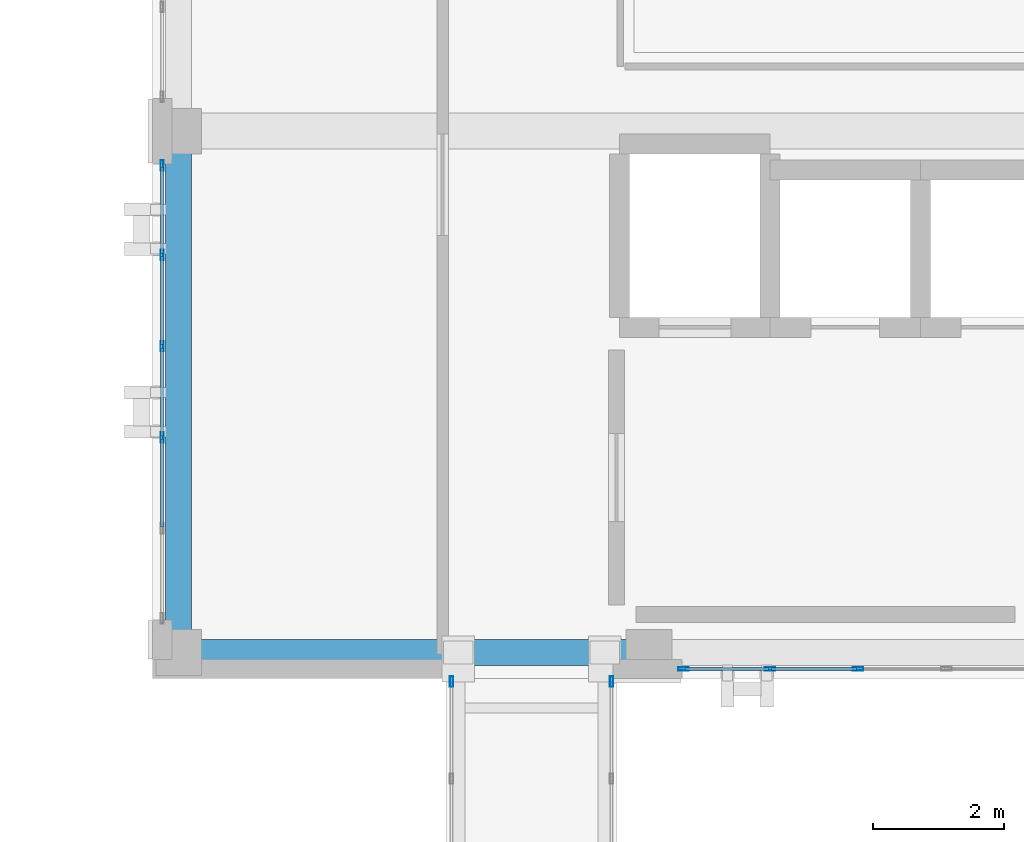
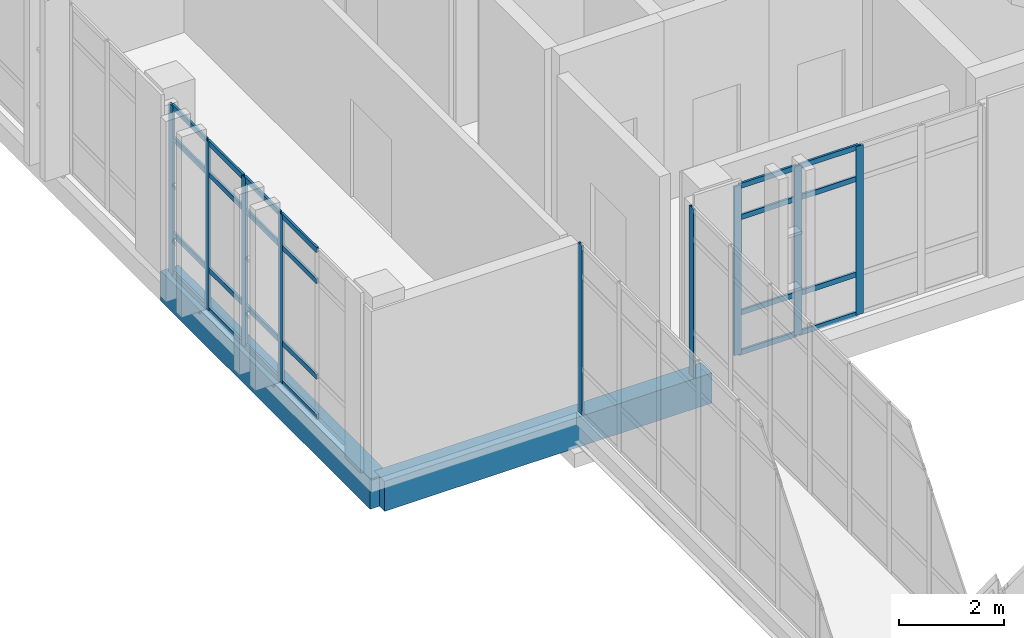
# One storey, part 56 of 165: 33 members, 2 beams, 4 elements without a shape of their own.
"""IFC4 building model written with IfcOpenShell, lengths in metres."""

from ifc_helpers import new_model, si_unit, direction, frame, origin, origin_2d, place, context, subcontext, project, spatial, rectangle, hollow_rectangle, extrude, material, layer, layer_set, material_profile, profile_set, type_object, element, aggregate, save


model = new_model("IFC4")

# Units and contexts
model_context = context("Model", 3, precision=1e-05, world=origin(), true_north=direction((0.0, 1.0)))
body_context = subcontext(model_context, "Body", "Model", "MODEL_VIEW")
ifc_project = project(units=[si_unit("LENGTHUNIT", "METRE"), si_unit("AREAUNIT", "SQUARE_METRE"), si_unit("VOLUMEUNIT", "CUBIC_METRE"), si_unit("PLANEANGLEUNIT", "RADIAN"), si_unit("MASSUNIT", "GRAM", prefix="KILO")], contexts=[model_context])

# Site, building, storey
site_placement = place(None, origin())
site = spatial("IfcSite", under=ifc_project, at=site_placement, CompositionType="ELEMENT")
building_placement = place(site_placement, origin())
building = spatial("IfcBuilding", under=site, at=building_placement, Name="Qalavern Law Courts", CompositionType="ELEMENT")
storey_placement = place(building_placement, frame((0.0, 0.0, 14.39990234375)))
storey = spatial("IfcBuildingStorey", under=building, at=storey_placement, Name="L03", CompositionType="ELEMENT", Elevation=14.39990234375)

# Curtain wall, members
ifc_material_1 = material(Name="Anodised aluminium and insulated glazing", Category="aluminium")
ifc_layer_1 = layer(ifc_material_1, 0.172119140625)
ifc_layer_set_1 = layer_set([ifc_layer_1], Name="Anodised aluminium and insulated glazing")
curtain_wall_type_1 = type_object("IfcCurtainWallType", Name="ENV-CW-COURT", PredefinedType="USERDEFINED", material=ifc_layer_set_1)
curtain_wall_1_placement = place(storey_placement, origin())
curtain_wall_1 = element("IfcCurtainWall", 1, at=curtain_wall_1_placement, inside=storey, type_object=curtain_wall_type_1, Name="V4 unitised curtain wall L03 south 1", ObjectType="UNITISED CURTAIN WALL", PredefinedType="USERDEFINED")
ifc_material_2 = material(Name="Anodised aluminium", Category="aluminium")
ifc_material_profile_1 = material_profile(ifc_material_2, hollow_rectangle(XDim=0.048095703125, YDim=0.159912109375, WallThickness=0.00390625, at=origin_2d()), Name="ALU MULLION 48x160")
ifc_profile_set_1 = profile_set([ifc_material_profile_1], Name="Anodised aluminium")
member_type_1 = type_object("IfcMemberType", Name="ENV-CWM-48x160", PredefinedType="MULLION", material=ifc_profile_set_1)
member_1_placement = place(storey_placement, frame((92.323974609375, 41.16748046875, 0.0), z_axis=(0.0, 0.0, 1.0), x_axis=(0.0, 1.0, 0.0)))
member_1 = element("IfcMember", 2, at=member_1_placement, type_object=member_type_1, Name="CW-03 mullion 1", PredefinedType="MULLION", context=body_context, shape_type="SweptSolid", body=[
    extrude(hollow_rectangle(XDim=0.048095703125, YDim=0.159912109375, WallThickness=0.00390625, at=origin_2d()), origin(), (0.0, 0.0, 1.0), 3.920166015625),
])
member_2_placement = place(storey_placement, frame((93.64990234375, 41.16748046875, 0.0), z_axis=(0.0, 0.0, 1.0), x_axis=(0.0, 1.0, 0.0)))
member_2 = element("IfcMember", 3, at=member_2_placement, type_object=member_type_1, Name="CW-03 mullion 2", PredefinedType="MULLION", context=body_context, shape_type="SweptSolid", body=[
    extrude(hollow_rectangle(XDim=0.048095703125, YDim=0.159912109375, WallThickness=0.00390625, at=origin_2d()), origin(), (0.0, 0.0, 1.0), 3.920166015625),
])
member_3_placement = place(storey_placement, frame((95.0, 41.16748046875, 0.0), z_axis=(0.0, 0.0, 1.0), x_axis=(0.0, 1.0, 0.0)))
member_3 = element("IfcMember", 4, at=member_3_placement, type_object=member_type_1, Name="CW-03 mullion 3", PredefinedType="MULLION", context=body_context, shape_type="SweptSolid", body=[
    extrude(hollow_rectangle(XDim=0.048095703125, YDim=0.159912109375, WallThickness=0.00390625, at=origin_2d()), origin(), (0.0, 0.0, 1.0), 3.920166015625),
])

curtain_wall_2_placement = place(storey_placement, origin())
curtain_wall_2 = element("IfcCurtainWall", 5, at=curtain_wall_2_placement, inside=storey, type_object=curtain_wall_type_1, Name="V4 unitised curtain wall L03 west 6", ObjectType="UNITISED CURTAIN WALL", PredefinedType="USERDEFINED")
member_4_placement = place(storey_placement, frame((84.347412109375, 48.8759765625, 0.0), z_axis=(0.0, 0.0, 1.0), x_axis=(1.0, 0.0, 0.0)))
member_4 = element("IfcMember", 6, at=member_4_placement, type_object=member_type_1, Name="CW-03 mullion 1", PredefinedType="MULLION", context=body_context, shape_type="SweptSolid", body=[
    extrude(hollow_rectangle(XDim=0.048095703125, YDim=0.159912109375, WallThickness=0.00390625, at=origin_2d()), origin(), (0.0, 0.0, 1.0), 3.920166015625),
])
member_5_placement = place(storey_placement, frame((84.347412109375, 47.50390625, 0.0), z_axis=(0.0, 0.0, 1.0), x_axis=(1.0, 0.0, 0.0)))
member_5 = element("IfcMember", 7, at=member_5_placement, type_object=member_type_1, Name="CW-03 mullion 2", PredefinedType="MULLION", context=body_context, shape_type="SweptSolid", body=[
    extrude(hollow_rectangle(XDim=0.048095703125, YDim=0.159912109375, WallThickness=0.00390625, at=origin_2d()), origin(), (0.0, 0.0, 1.0), 3.920166015625),
])
member_6_placement = place(storey_placement, frame((84.347412109375, 46.10791015625, 0.0), z_axis=(0.0, 0.0, 1.0), x_axis=(1.0, 0.0, 0.0)))
member_6 = element("IfcMember", 8, at=member_6_placement, type_object=member_type_1, Name="CW-03 mullion 3", PredefinedType="MULLION", context=body_context, shape_type="SweptSolid", body=[
    extrude(hollow_rectangle(XDim=0.048095703125, YDim=0.159912109375, WallThickness=0.00390625, at=origin_2d()), origin(), (0.0, 0.0, 1.0), 3.920166015625),
])
member_7_placement = place(storey_placement, frame((84.347412109375, 44.7119140625, 0.0), z_axis=(0.0, 0.0, 1.0), x_axis=(1.0, 0.0, 0.0)))
member_7 = element("IfcMember", 9, at=member_7_placement, type_object=member_type_1, Name="CW-03 mullion 4", PredefinedType="MULLION", context=body_context, shape_type="SweptSolid", body=[
    extrude(hollow_rectangle(XDim=0.048095703125, YDim=0.159912109375, WallThickness=0.00390625, at=origin_2d()), origin(), (0.0, 0.0, 1.0), 3.920166015625),
])

# Curtain wall, member
ifc_layer_2 = layer(ifc_material_1, 0.14990234375)
ifc_layer_set_2 = layer_set([ifc_layer_2], Name="Anodised aluminium and insulated glazing")
curtain_wall_type_2 = type_object("IfcCurtainWallType", Name="ENV-CW-BRG", PredefinedType="USERDEFINED", material=ifc_layer_set_2)
curtain_wall_3_placement = place(storey_placement, origin())
curtain_wall_3 = element("IfcCurtainWall", 10, at=curtain_wall_3_placement, inside=storey, type_object=curtain_wall_type_2, Name="Bridge BR-V2-V4 glazed curtain wall L03-1", ObjectType="UNITISED CURTAIN WALL", PredefinedType="USERDEFINED")
member_8_placement = place(storey_placement, frame((88.77490234375, 40.97607421875, 0.0), z_axis=(0.0, 0.0, 1.0), x_axis=(1.0, 0.0, 0.0)))
member_8 = element("IfcMember", 11, at=member_8_placement, type_object=member_type_1, Name="CW-06 mullion 1", PredefinedType="MULLION", context=body_context, shape_type="SweptSolid", body=[
    extrude(hollow_rectangle(XDim=0.048095703125, YDim=0.159912109375, WallThickness=0.00390625, at=origin_2d()), origin(), (0.0, 0.0, 1.0), 3.920166015625),
])
aggregate(curtain_wall_3, [member_8])

curtain_wall_4_placement = place(storey_placement, origin())
curtain_wall_4 = element("IfcCurtainWall", 12, at=curtain_wall_4_placement, inside=storey, type_object=curtain_wall_type_2, Name="Bridge BR-V2-V4 glazed curtain wall L03-2", ObjectType="UNITISED CURTAIN WALL", PredefinedType="USERDEFINED")
member_9_placement = place(storey_placement, frame((91.22509765625, 40.97607421875, 0.0), z_axis=(0.0, 0.0, 1.0), x_axis=(-1.0, 0.0, 0.0)))
member_9 = element("IfcMember", 13, at=member_9_placement, type_object=member_type_1, Name="CW-06 mullion 8", PredefinedType="MULLION", context=body_context, shape_type="SweptSolid", body=[
    extrude(hollow_rectangle(XDim=0.048095703125, YDim=0.159912109375, WallThickness=0.00390625, at=origin_2d()), origin(), (0.0, 0.0, 1.0), 3.920166015625),
])
aggregate(curtain_wall_4, [member_9])

# Member
ifc_material_profile_2 = material_profile(ifc_material_2, hollow_rectangle(XDim=0.048095703125, YDim=0.1201171875, WallThickness=0.00390625, at=origin_2d()), Name="ALU TRANSOM 48x120")
ifc_profile_set_2 = profile_set([ifc_material_profile_2], Name="Anodised aluminium")
member_type_2 = type_object("IfcMemberType", Name="ENV-CWT-48x120", PredefinedType="USERDEFINED", material=ifc_profile_set_2)
member_10_placement = place(storey_placement, frame((92.347900390625, 41.16748046875, 0.024169921875), z_axis=(1.0, 0.0, 0.0), x_axis=(0.0, 1.0, 0.0)))
member_10 = element("IfcMember", 14, at=member_10_placement, type_object=member_type_2, Name="CW-03 transom 1.1", ObjectType="TRANSOM", PredefinedType="USERDEFINED", context=body_context, shape_type="SweptSolid", body=[
    extrude(hollow_rectangle(XDim=0.048095703125, YDim=0.1201171875, WallThickness=0.00390625, at=origin_2d()), origin(), (0.0, 0.0, 1.0), 1.278076171875),
])

member_11_placement = place(storey_placement, frame((92.347900390625, 41.16748046875, 0.9501953125), z_axis=(1.0, 0.0, 0.0), x_axis=(0.0, 1.0, 0.0)))
member_11 = element("IfcMember", 15, at=member_11_placement, type_object=member_type_2, Name="CW-03 transom 1.2", ObjectType="TRANSOM", PredefinedType="USERDEFINED", context=body_context, shape_type="SweptSolid", body=[
    extrude(hollow_rectangle(XDim=0.048095703125, YDim=0.1201171875, WallThickness=0.00390625, at=origin_2d()), origin(), (0.0, 0.0, 1.0), 1.278076171875),
])

member_12_placement = place(storey_placement, frame((92.347900390625, 41.16748046875, 3.170166015625), z_axis=(1.0, 0.0, 0.0), x_axis=(0.0, 1.0, 0.0)))
member_12 = element("IfcMember", 16, at=member_12_placement, type_object=member_type_2, Name="CW-03 transom 1.3", ObjectType="TRANSOM", PredefinedType="USERDEFINED", context=body_context, shape_type="SweptSolid", body=[
    extrude(hollow_rectangle(XDim=0.048095703125, YDim=0.1201171875, WallThickness=0.00390625, at=origin_2d()), origin(), (0.0, 0.0, 1.0), 1.278076171875),
])

member_13_placement = place(storey_placement, frame((92.347900390625, 41.16748046875, 3.89599609375), z_axis=(1.0, 0.0, 0.0), x_axis=(0.0, 1.0, 0.0)))
member_13 = element("IfcMember", 17, at=member_13_placement, type_object=member_type_2, Name="CW-03 transom 1.4", ObjectType="TRANSOM", PredefinedType="USERDEFINED", context=body_context, shape_type="SweptSolid", body=[
    extrude(hollow_rectangle(XDim=0.048095703125, YDim=0.1201171875, WallThickness=0.00390625, at=origin_2d()), origin(), (0.0, 0.0, 1.0), 1.278076171875),
])

member_14_placement = place(storey_placement, frame((93.674072265625, 41.16748046875, 0.024169921875), z_axis=(1.0, 0.0, 0.0), x_axis=(0.0, 1.0, 0.0)))
member_14 = element("IfcMember", 18, at=member_14_placement, type_object=member_type_2, Name="CW-03 transom 2.1", ObjectType="TRANSOM", PredefinedType="USERDEFINED", context=body_context, shape_type="SweptSolid", body=[
    extrude(hollow_rectangle(XDim=0.048095703125, YDim=0.1201171875, WallThickness=0.00390625, at=origin_2d()), origin(), (0.0, 0.0, 1.0), 1.302001953125),
])

member_15_placement = place(storey_placement, frame((93.674072265625, 41.16748046875, 0.9501953125), z_axis=(1.0, 0.0, 0.0), x_axis=(0.0, 1.0, 0.0)))
member_15 = element("IfcMember", 19, at=member_15_placement, type_object=member_type_2, Name="CW-03 transom 2.2", ObjectType="TRANSOM", PredefinedType="USERDEFINED", context=body_context, shape_type="SweptSolid", body=[
    extrude(hollow_rectangle(XDim=0.048095703125, YDim=0.1201171875, WallThickness=0.00390625, at=origin_2d()), origin(), (0.0, 0.0, 1.0), 1.302001953125),
])

member_16_placement = place(storey_placement, frame((93.674072265625, 41.16748046875, 3.170166015625), z_axis=(1.0, 0.0, 0.0), x_axis=(0.0, 1.0, 0.0)))
member_16 = element("IfcMember", 20, at=member_16_placement, type_object=member_type_2, Name="CW-03 transom 2.3", ObjectType="TRANSOM", PredefinedType="USERDEFINED", context=body_context, shape_type="SweptSolid", body=[
    extrude(hollow_rectangle(XDim=0.048095703125, YDim=0.1201171875, WallThickness=0.00390625, at=origin_2d()), origin(), (0.0, 0.0, 1.0), 1.302001953125),
])

member_17_placement = place(storey_placement, frame((93.674072265625, 41.16748046875, 3.89599609375), z_axis=(1.0, 0.0, 0.0), x_axis=(0.0, 1.0, 0.0)))
member_17 = element("IfcMember", 21, at=member_17_placement, type_object=member_type_2, Name="CW-03 transom 2.4", ObjectType="TRANSOM", PredefinedType="USERDEFINED", context=body_context, shape_type="SweptSolid", body=[
    extrude(hollow_rectangle(XDim=0.048095703125, YDim=0.1201171875, WallThickness=0.00390625, at=origin_2d()), origin(), (0.0, 0.0, 1.0), 1.302001953125),
])

aggregate(curtain_wall_1, [member_1, member_2, member_3, member_10, member_11, member_12, member_13, member_14, member_15, member_16, member_17])

member_18_placement = place(storey_placement, frame((84.347412109375, 48.85205078125, 0.024169921875), z_axis=(0.0, -1.0, 0.0), x_axis=(1.0, 0.0, 0.0)))
member_18 = element("IfcMember", 22, at=member_18_placement, type_object=member_type_2, Name="CW-03 transom 1.1", ObjectType="TRANSOM", PredefinedType="USERDEFINED", context=body_context, shape_type="SweptSolid", body=[
    extrude(hollow_rectangle(XDim=0.048095703125, YDim=0.1201171875, WallThickness=0.00390625, at=origin_2d()), origin(), (0.0, 0.0, 1.0), 1.323974609375),
])

member_19_placement = place(storey_placement, frame((84.347412109375, 48.85205078125, 0.9501953125), z_axis=(0.0, -1.0, 0.0), x_axis=(1.0, 0.0, 0.0)))
member_19 = element("IfcMember", 23, at=member_19_placement, type_object=member_type_2, Name="CW-03 transom 1.2", ObjectType="TRANSOM", PredefinedType="USERDEFINED", context=body_context, shape_type="SweptSolid", body=[
    extrude(hollow_rectangle(XDim=0.048095703125, YDim=0.1201171875, WallThickness=0.00390625, at=origin_2d()), origin(), (0.0, 0.0, 1.0), 1.323974609375),
])

member_20_placement = place(storey_placement, frame((84.347412109375, 48.85205078125, 3.170166015625), z_axis=(0.0, -1.0, 0.0), x_axis=(1.0, 0.0, 0.0)))
member_20 = element("IfcMember", 24, at=member_20_placement, type_object=member_type_2, Name="CW-03 transom 1.3", ObjectType="TRANSOM", PredefinedType="USERDEFINED", context=body_context, shape_type="SweptSolid", body=[
    extrude(hollow_rectangle(XDim=0.048095703125, YDim=0.1201171875, WallThickness=0.00390625, at=origin_2d()), origin(), (0.0, 0.0, 1.0), 1.323974609375),
])

member_21_placement = place(storey_placement, frame((84.347412109375, 48.85205078125, 3.89599609375), z_axis=(0.0, -1.0, 0.0), x_axis=(1.0, 0.0, 0.0)))
member_21 = element("IfcMember", 25, at=member_21_placement, type_object=member_type_2, Name="CW-03 transom 1.4", ObjectType="TRANSOM", PredefinedType="USERDEFINED", context=body_context, shape_type="SweptSolid", body=[
    extrude(hollow_rectangle(XDim=0.048095703125, YDim=0.1201171875, WallThickness=0.00390625, at=origin_2d()), origin(), (0.0, 0.0, 1.0), 1.323974609375),
])

member_22_placement = place(storey_placement, frame((84.347412109375, 47.47998046875, 0.024169921875), z_axis=(0.0, -1.0, 0.0), x_axis=(1.0, 0.0, 0.0)))
member_22 = element("IfcMember", 26, at=member_22_placement, type_object=member_type_2, Name="CW-03 transom 2.1", ObjectType="TRANSOM", PredefinedType="USERDEFINED", context=body_context, shape_type="SweptSolid", body=[
    extrude(hollow_rectangle(XDim=0.048095703125, YDim=0.1201171875, WallThickness=0.00390625, at=origin_2d()), origin(), (0.0, 0.0, 1.0), 1.347900390625),
])

member_23_placement = place(storey_placement, frame((84.347412109375, 47.47998046875, 0.9501953125), z_axis=(0.0, -1.0, 0.0), x_axis=(1.0, 0.0, 0.0)))
member_23 = element("IfcMember", 27, at=member_23_placement, type_object=member_type_2, Name="CW-03 transom 2.2", ObjectType="TRANSOM", PredefinedType="USERDEFINED", context=body_context, shape_type="SweptSolid", body=[
    extrude(hollow_rectangle(XDim=0.048095703125, YDim=0.1201171875, WallThickness=0.00390625, at=origin_2d()), origin(), (0.0, 0.0, 1.0), 1.347900390625),
])

member_24_placement = place(storey_placement, frame((84.347412109375, 47.47998046875, 3.170166015625), z_axis=(0.0, -1.0, 0.0), x_axis=(1.0, 0.0, 0.0)))
member_24 = element("IfcMember", 28, at=member_24_placement, type_object=member_type_2, Name="CW-03 transom 2.3", ObjectType="TRANSOM", PredefinedType="USERDEFINED", context=body_context, shape_type="SweptSolid", body=[
    extrude(hollow_rectangle(XDim=0.048095703125, YDim=0.1201171875, WallThickness=0.00390625, at=origin_2d()), origin(), (0.0, 0.0, 1.0), 1.347900390625),
])

member_25_placement = place(storey_placement, frame((84.347412109375, 47.47998046875, 3.89599609375), z_axis=(0.0, -1.0, 0.0), x_axis=(1.0, 0.0, 0.0)))
member_25 = element("IfcMember", 29, at=member_25_placement, type_object=member_type_2, Name="CW-03 transom 2.4", ObjectType="TRANSOM", PredefinedType="USERDEFINED", context=body_context, shape_type="SweptSolid", body=[
    extrude(hollow_rectangle(XDim=0.048095703125, YDim=0.1201171875, WallThickness=0.00390625, at=origin_2d()), origin(), (0.0, 0.0, 1.0), 1.347900390625),
])

member_26_placement = place(storey_placement, frame((84.347412109375, 46.083984375, 0.024169921875), z_axis=(0.0, -1.0, 0.0), x_axis=(1.0, 0.0, 0.0)))
member_26 = element("IfcMember", 30, at=member_26_placement, type_object=member_type_2, Name="CW-03 transom 3.1", ObjectType="TRANSOM", PredefinedType="USERDEFINED", context=body_context, shape_type="SweptSolid", body=[
    extrude(hollow_rectangle(XDim=0.048095703125, YDim=0.1201171875, WallThickness=0.00390625, at=origin_2d()), origin(), (0.0, 0.0, 1.0), 1.347900390625),
])

member_27_placement = place(storey_placement, frame((84.347412109375, 46.083984375, 0.9501953125), z_axis=(0.0, -1.0, 0.0), x_axis=(1.0, 0.0, 0.0)))
member_27 = element("IfcMember", 31, at=member_27_placement, type_object=member_type_2, Name="CW-03 transom 3.2", ObjectType="TRANSOM", PredefinedType="USERDEFINED", context=body_context, shape_type="SweptSolid", body=[
    extrude(hollow_rectangle(XDim=0.048095703125, YDim=0.1201171875, WallThickness=0.00390625, at=origin_2d()), origin(), (0.0, 0.0, 1.0), 1.347900390625),
])

member_28_placement = place(storey_placement, frame((84.347412109375, 46.083984375, 3.170166015625), z_axis=(0.0, -1.0, 0.0), x_axis=(1.0, 0.0, 0.0)))
member_28 = element("IfcMember", 32, at=member_28_placement, type_object=member_type_2, Name="CW-03 transom 3.3", ObjectType="TRANSOM", PredefinedType="USERDEFINED", context=body_context, shape_type="SweptSolid", body=[
    extrude(hollow_rectangle(XDim=0.048095703125, YDim=0.1201171875, WallThickness=0.00390625, at=origin_2d()), origin(), (0.0, 0.0, 1.0), 1.347900390625),
])

member_29_placement = place(storey_placement, frame((84.347412109375, 46.083984375, 3.89599609375), z_axis=(0.0, -1.0, 0.0), x_axis=(1.0, 0.0, 0.0)))
member_29 = element("IfcMember", 33, at=member_29_placement, type_object=member_type_2, Name="CW-03 transom 3.4", ObjectType="TRANSOM", PredefinedType="USERDEFINED", context=body_context, shape_type="SweptSolid", body=[
    extrude(hollow_rectangle(XDim=0.048095703125, YDim=0.1201171875, WallThickness=0.00390625, at=origin_2d()), origin(), (0.0, 0.0, 1.0), 1.347900390625),
])

member_30_placement = place(storey_placement, frame((84.347412109375, 44.68798828125, 0.024169921875), z_axis=(0.0, -1.0, 0.0), x_axis=(1.0, 0.0, 0.0)))
member_30 = element("IfcMember", 34, at=member_30_placement, type_object=member_type_2, Name="CW-03 transom 4.1", ObjectType="TRANSOM", PredefinedType="USERDEFINED", context=body_context, shape_type="SweptSolid", body=[
    extrude(hollow_rectangle(XDim=0.048095703125, YDim=0.1201171875, WallThickness=0.00390625, at=origin_2d()), origin(), (0.0, 0.0, 1.0), 1.347900390625),
])

member_31_placement = place(storey_placement, frame((84.347412109375, 44.68798828125, 0.9501953125), z_axis=(0.0, -1.0, 0.0), x_axis=(1.0, 0.0, 0.0)))
member_31 = element("IfcMember", 35, at=member_31_placement, type_object=member_type_2, Name="CW-03 transom 4.2", ObjectType="TRANSOM", PredefinedType="USERDEFINED", context=body_context, shape_type="SweptSolid", body=[
    extrude(hollow_rectangle(XDim=0.048095703125, YDim=0.1201171875, WallThickness=0.00390625, at=origin_2d()), origin(), (0.0, 0.0, 1.0), 1.347900390625),
])

member_32_placement = place(storey_placement, frame((84.347412109375, 44.68798828125, 3.170166015625), z_axis=(0.0, -1.0, 0.0), x_axis=(1.0, 0.0, 0.0)))
member_32 = element("IfcMember", 36, at=member_32_placement, type_object=member_type_2, Name="CW-03 transom 4.3", ObjectType="TRANSOM", PredefinedType="USERDEFINED", context=body_context, shape_type="SweptSolid", body=[
    extrude(hollow_rectangle(XDim=0.048095703125, YDim=0.1201171875, WallThickness=0.00390625, at=origin_2d()), origin(), (0.0, 0.0, 1.0), 1.347900390625),
])

member_33_placement = place(storey_placement, frame((84.347412109375, 44.68798828125, 3.89599609375), z_axis=(0.0, -1.0, 0.0), x_axis=(1.0, 0.0, 0.0)))
member_33 = element("IfcMember", 37, at=member_33_placement, type_object=member_type_2, Name="CW-03 transom 4.4", ObjectType="TRANSOM", PredefinedType="USERDEFINED", context=body_context, shape_type="SweptSolid", body=[
    extrude(hollow_rectangle(XDim=0.048095703125, YDim=0.1201171875, WallThickness=0.00390625, at=origin_2d()), origin(), (0.0, 0.0, 1.0), 1.347900390625),
])

aggregate(curtain_wall_2, [member_4, member_5, member_6, member_7, member_18, member_19, member_20, member_21, member_22, member_23, member_24, member_25, member_26, member_27, member_28, member_29, member_30, member_31, member_32, member_33])

# Beams
ifc_material_3 = material(Name="Concrete C40/50", Category="concrete")
ifc_material_profile_3 = material_profile(ifc_material_3, rectangle(XDim=0.39990234375, YDim=0.699951171875, at=origin_2d()), Name="RC 400x700")
ifc_profile_set_3 = profile_set([ifc_material_profile_3], Name="Concrete C40/50")
beam_type = type_object("IfcBeamType", Name="STR-SP-RC400x700", PredefinedType="SPANDREL", material=ifc_profile_set_3)
beam_1_placement = place(storey_placement, frame((84.60009765625, 41.419921875, -0.635009765625), z_axis=(1.0, 0.0, 0.0), x_axis=(0.0, 1.0, 0.0)))
element("IfcBeam", 38, at=beam_1_placement, inside=storey, type_object=beam_type, Name="V4 X-beam 1-1 L03", PredefinedType="SPANDREL", context=body_context, shape_type="SweptSolid", body=[
    extrude(rectangle(XDim=0.39990234375, YDim=0.699951171875, at=origin_2d()), origin(), (0.0, 0.0, 1.0), 7.199951171875),
])
beam_2_placement = place(storey_placement, frame((84.60009765625, 41.419921875, -0.635009765625), z_axis=(0.0, 1.0, 0.0), x_axis=(-1.0, 0.0, 0.0)))
element("IfcBeam", 39, at=beam_2_placement, inside=storey, type_object=beam_type, Name="V4 Y-beam 1-1 L03", PredefinedType="SPANDREL", context=body_context, shape_type="SweptSolid", body=[
    extrude(rectangle(XDim=0.39990234375, YDim=0.699951171875, at=origin_2d()), origin(), (0.0, 0.0, 1.0), 7.97998046875),
])

save(model, "model.ifc")
